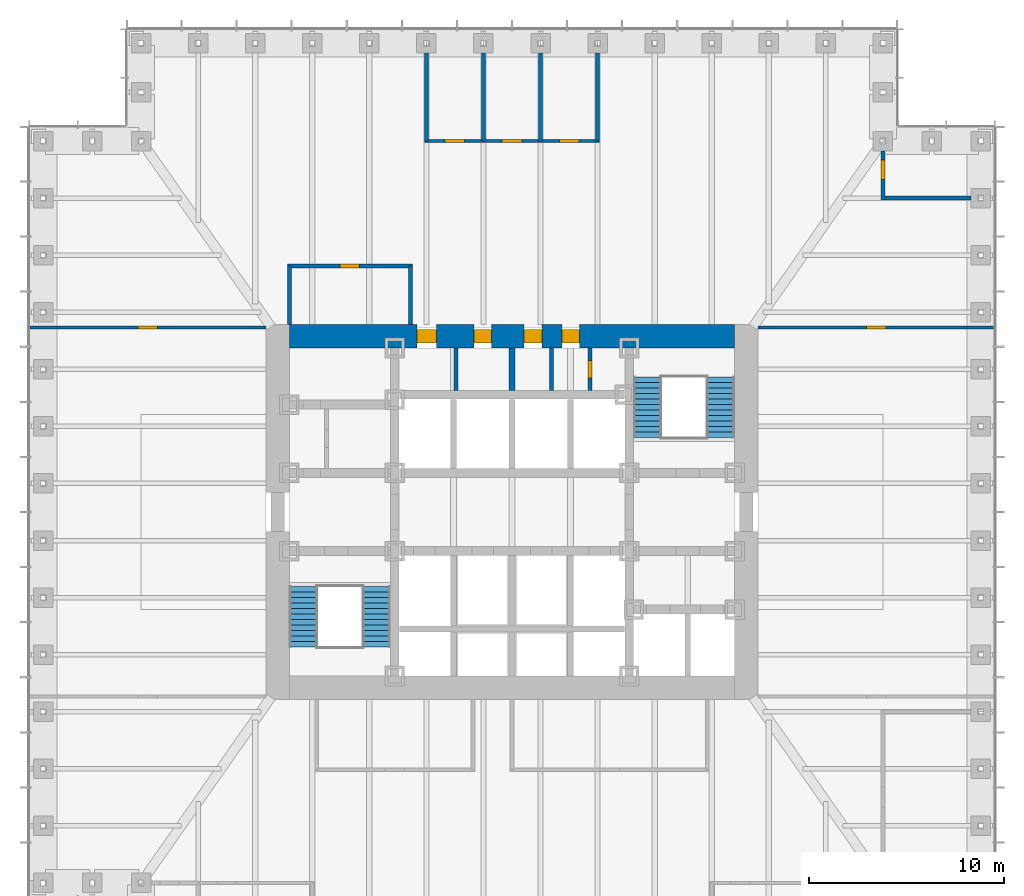
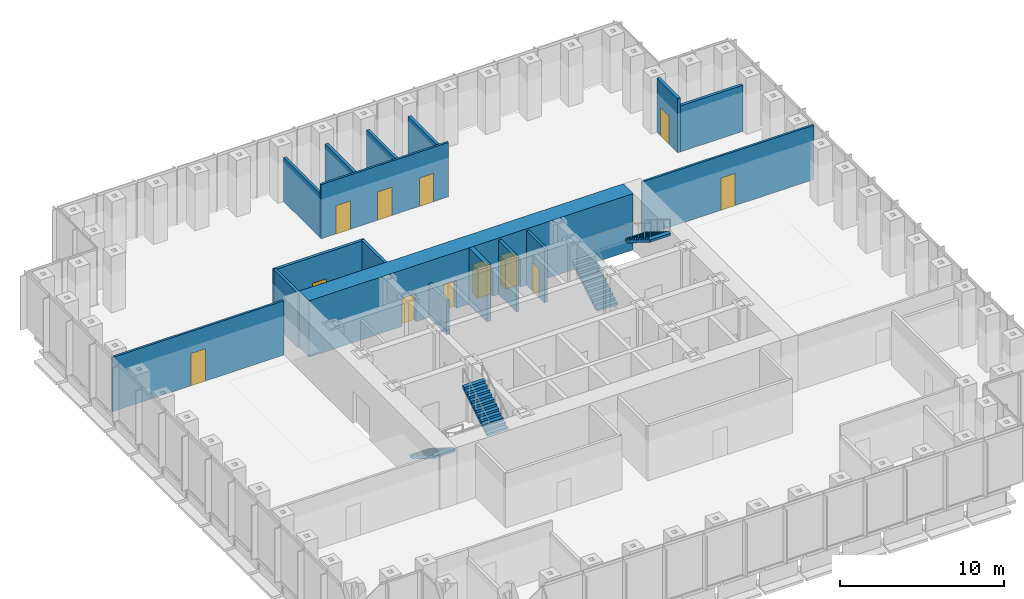
# One storey, part 10 of 16: 17 walls, 12 doors, 4 stair flights, 12 openings, 2 elements without a shape of their own.
"""IFC4 building model written with IfcOpenShell, lengths in metres."""

from ifc_helpers import new_model, si_unit, direction, frame, frame_2d, origin, place, context, subcontext, project, spatial, polyline, rectangle, outline, extrude, material, layer, layer_set, type_object, element, fill, aggregate, save


model = new_model("IFC4")

# Units and contexts
model_context = context("Model", 3, precision=1e-05, world=origin(), true_north=direction((0.0, 1.0)))
body_context = subcontext(model_context, "Body", "Model", "MODEL_VIEW")
ifc_project = project(units=[si_unit("LENGTHUNIT", "METRE"), si_unit("AREAUNIT", "SQUARE_METRE"), si_unit("VOLUMEUNIT", "CUBIC_METRE"), si_unit("PLANEANGLEUNIT", "RADIAN"), si_unit("MASSUNIT", "GRAM", prefix="KILO")], contexts=[model_context])

# Site, building, storey
site_placement = place(None, origin())
site = spatial("IfcSite", under=ifc_project, at=site_placement, CompositionType="ELEMENT")
building_placement = place(site_placement, origin())
building = spatial("IfcBuilding", under=site, at=building_placement, Name="Daluyong Arena Tower", CompositionType="ELEMENT")
storey_placement = place(building_placement, frame((0.0, 0.0, 39.10009765625)))
storey = spatial("IfcBuildingStorey", under=building, at=storey_placement, Name="L07", CompositionType="ELEMENT", Elevation=39.10009765625)

# Wall, openings, doors
ifc_material_1 = material(Name="Concrete fc' 60 MPa", Category="concrete")
ifc_layer_1 = layer(ifc_material_1, 1.199951171875)
ifc_layer_set_1 = layer_set([ifc_layer_1], Name="Concrete fc' 60 MPa")
wall_type_1 = type_object("IfcWallType", Name="Core wall 1200", PredefinedType="SHEAR", material=ifc_layer_set_1)
wall_1_placement = place(storey_placement, frame((44.60009765625, 89.0, 0.0), z_axis=(0.0, 0.0, 1.0), x_axis=(1.0, 0.0, 0.0)))
wall_1 = element("IfcWall", 1, at=wall_1_placement, inside=storey, type_object=wall_type_1, Name="core wall at L07", PredefinedType="SHEAR", context=body_context, shape_type="SweptSolid", body=[
    extrude(rectangle(XDim=22.7998046875, YDim=1.199951171875, at=frame_2d((11.39990234375, 0.0))), origin(), (0.0, 0.0, 1.0), 4.199951171875),
])
opening_1_placement = place(wall_1_placement, frame((6.52490234375, 0.0, 0.0)))
opening_1 = element("IfcOpeningElement", 2, at=opening_1_placement, cuts=wall_1, Name="Opening 07004", PredefinedType="OPENING", context=body_context, shape_type="SweptSolid", body=[
    extrude(rectangle(XDim=1.0, YDim=2.10009765625, at=frame_2d((0.5, 1.050048828125))), frame((0.0, 0.60986328125, 0.0), z_axis=(0.0, -1.0, 0.0), x_axis=(1.0, 0.0, 0.0)), (0.0, 0.0, 1.0), 1.219970703125),
])
opening_2_placement = place(wall_1_placement, frame((9.449951171875, 0.0, 0.0)))
opening_2 = element("IfcOpeningElement", 3, at=opening_2_placement, cuts=wall_1, Name="Opening 07005", PredefinedType="OPENING", context=body_context, shape_type="SweptSolid", body=[
    extrude(rectangle(XDim=0.89990234375, YDim=2.10009765625, at=frame_2d((0.449951171875, 1.050048828125))), frame((0.0, 0.60986328125, 0.0), z_axis=(0.0, -1.0, 0.0), x_axis=(1.0, 0.0, 0.0)), (0.0, 0.0, 1.0), 1.219970703125),
])
opening_3_placement = place(wall_1_placement, frame((12.02490234375, 0.0, 0.0)))
opening_3 = element("IfcOpeningElement", 4, at=opening_3_placement, cuts=wall_1, Name="Opening 07006", PredefinedType="OPENING", context=body_context, shape_type="SweptSolid", body=[
    extrude(rectangle(XDim=0.89990234375, YDim=2.10009765625, at=frame_2d((0.449951171875, 1.050048828125))), frame((0.0, 0.60986328125, 0.0), z_axis=(0.0, -1.0, 0.0), x_axis=(1.0, 0.0, 0.0)), (0.0, 0.0, 1.0), 1.219970703125),
])
opening_4_placement = place(wall_1_placement, frame((13.96240234375, 0.0, 0.0)))
opening_4 = element("IfcOpeningElement", 5, at=opening_4_placement, cuts=wall_1, Name="Opening 07007", PredefinedType="OPENING", context=body_context, shape_type="SweptSolid", body=[
    extrude(rectangle(XDim=0.89990234375, YDim=2.10009765625, at=frame_2d((0.449951171875, 1.050048828125))), frame((0.0, 0.60986328125, 0.0), z_axis=(0.0, -1.0, 0.0), x_axis=(1.0, 0.0, 0.0)), (0.0, 0.0, 1.0), 1.219970703125),
])
ifc_material_2 = material(Name="Timber door", Category="wood")
door_type_1 = type_object("IfcDoorType", Name="Accessible toilet door 1000", OperationType="SINGLE_SWING_LEFT", PredefinedType="DOOR", material=ifc_material_2)
door_1_placement = place(opening_1_placement, origin())
door_1 = element("IfcDoor", 6, at=door_1_placement, inside=storey, type_object=door_type_1, Name="accessible toilet door 07004", OperationType="SINGLE_SWING_LEFT", OverallHeight=2.10009765625, OverallWidth=1.0, PredefinedType="DOOR", context=body_context, shape_type="SweptSolid", body=[
    extrude(rectangle(XDim=1.0, YDim=2.10009765625, at=frame_2d((0.5, 1.050048828125))), frame((0.0, 0.35009765625, 0.0), z_axis=(0.0, -1.0, 0.0), x_axis=(1.0, 0.0, 0.0)), (0.0, 0.0, 1.0), 0.699951171875),
])
fill(opening_1, door_1)
ifc_material_3 = material(Name="Steel door, fire rated", Category="steel")
door_type_2 = type_object("IfcDoorType", Name="Core room door 900", OperationType="SINGLE_SWING_LEFT", PredefinedType="DOOR", material=ifc_material_3)
door_2_placement = place(opening_2_placement, origin())
door_2 = element("IfcDoor", 7, at=door_2_placement, inside=storey, type_object=door_type_2, Name="tea point door 07005", OperationType="SINGLE_SWING_LEFT", OverallHeight=2.10009765625, OverallWidth=0.89990234375, PredefinedType="DOOR", context=body_context, shape_type="SweptSolid", body=[
    extrude(rectangle(XDim=0.89990234375, YDim=2.10009765625, at=frame_2d((0.449951171875, 1.050048828125))), frame((0.0, 0.35009765625, 0.0), z_axis=(0.0, -1.0, 0.0), x_axis=(1.0, 0.0, 0.0)), (0.0, 0.0, 1.0), 0.699951171875),
])
fill(opening_2, door_2)
door_3_placement = place(opening_4_placement, origin())
door_3 = element("IfcDoor", 8, at=door_3_placement, inside=storey, type_object=door_type_2, Name="print room door 07007", OperationType="SINGLE_SWING_LEFT", OverallHeight=2.10009765625, OverallWidth=0.89990234375, PredefinedType="DOOR", context=body_context, shape_type="SweptSolid", body=[
    extrude(rectangle(XDim=0.89990234375, YDim=2.10009765625, at=frame_2d((0.449951171875, 1.050048828125))), frame((0.0, 0.35009765625, 0.0), z_axis=(0.0, -1.0, 0.0), x_axis=(1.0, 0.0, 0.0)), (0.0, 0.0, 1.0), 0.699951171875),
])
fill(opening_4, door_3)
ifc_material_4 = material(Name="Steel door, fire rated", Category="steel")
door_type_3 = type_object("IfcDoorType", Name="Core store door 900", OperationType="SINGLE_SWING_LEFT", PredefinedType="DOOR", material=ifc_material_4)
door_4_placement = place(opening_3_placement, origin())
door_4 = element("IfcDoor", 9, at=door_4_placement, inside=storey, type_object=door_type_3, Name="facilities store door 07006", OperationType="SINGLE_SWING_LEFT", OverallHeight=2.10009765625, OverallWidth=0.89990234375, PredefinedType="DOOR", context=body_context, shape_type="SweptSolid", body=[
    extrude(rectangle(XDim=0.89990234375, YDim=2.10009765625, at=frame_2d((0.449951171875, 1.050048828125))), frame((0.0, 0.35009765625, 0.0), z_axis=(0.0, -1.0, 0.0), x_axis=(1.0, 0.0, 0.0)), (0.0, 0.0, 1.0), 0.699951171875),
])
fill(opening_3, door_4)

# Wall
ifc_material_5 = material(Name="Concrete block partition, fire rated", Category="concrete")
ifc_layer_2 = layer(ifc_material_5, 0.199951171875)
ifc_layer_set_2 = layer_set([ifc_layer_2], Name="Concrete block partition, fire rated")
wall_type_2 = type_object("IfcWallType", Name="Fire-rated partition 200", PredefinedType="PARTITIONING", material=ifc_layer_set_2)
wall_2_placement = place(storey_placement, frame((53.125, 86.22509765625, 0.0), z_axis=(0.0, 0.0, 1.0), x_axis=(0.0, 1.0, 0.0)))
element("IfcWall", 10, at=wall_2_placement, inside=storey, type_object=wall_type_2, Name="core room partition at L07", PredefinedType="PARTITIONING", context=body_context, shape_type="SweptSolid", body=[
    extrude(rectangle(XDim=2.1748046875, YDim=0.199951171875, at=frame_2d((1.08740234375, 0.0))), origin(), (0.0, 0.0, 1.0), 2.539794921875),
])

# Wall, opening, door
wall_3_placement = place(storey_placement, frame((60.0, 86.22509765625, 0.0), z_axis=(0.0, 0.0, 1.0), x_axis=(0.0, 1.0, 0.0)))
wall_3 = element("IfcWall", 11, at=wall_3_placement, inside=storey, type_object=wall_type_2, Name="electrical riser enclosure at L07", PredefinedType="PARTITIONING", context=body_context, shape_type="SweptSolid", body=[
    extrude(rectangle(XDim=2.1748046875, YDim=0.199951171875, at=frame_2d((1.08740234375, 0.0))), origin(), (0.0, 0.0, 1.0), 4.039794921875),
])
opening_5_placement = place(wall_3_placement, frame((0.637451171875, 0.0, 0.0)))
opening_5 = element("IfcOpeningElement", 12, at=opening_5_placement, cuts=wall_3, Name="Opening 07008", PredefinedType="OPENING", context=body_context, shape_type="SweptSolid", body=[
    extrude(rectangle(XDim=0.89990234375, YDim=2.10009765625, at=frame_2d((0.449951171875, 1.050048828125))), frame((0.0, 0.10986328125, 0.0), z_axis=(0.0, -1.0, 0.0), x_axis=(1.0, 0.0, 0.0)), (0.0, 0.0, 1.0), 0.219970703125),
])
ifc_material_6 = material(Name="Steel door, fire rated", Category="steel")
door_type_4 = type_object("IfcDoorType", Name="Riser door 900", OperationType="SINGLE_SWING_LEFT", PredefinedType="DOOR", material=ifc_material_6)
door_5_placement = place(opening_5_placement, origin())
door_5 = element("IfcDoor", 13, at=door_5_placement, inside=storey, type_object=door_type_4, Name="riser door 07008", OperationType="SINGLE_SWING_LEFT", OverallHeight=2.10009765625, OverallWidth=0.89990234375, PredefinedType="DOOR", context=body_context, shape_type="SweptSolid", body=[
    extrude(rectangle(XDim=0.89990234375, YDim=2.10009765625, at=frame_2d((0.449951171875, 1.050048828125))), frame((0.0, 0.099609375, 0.0), z_axis=(0.0, -1.0, 0.0), x_axis=(1.0, 0.0, 0.0)), (0.0, 0.0, 1.0), 0.199462890625),
])
fill(opening_5, door_5)

# Wall
wall_4_placement = place(storey_placement, frame((58.02490234375, 86.22509765625, 0.0), z_axis=(0.0, 0.0, 1.0), x_axis=(0.0, 1.0, 0.0)))
element("IfcWall", 14, at=wall_4_placement, inside=storey, type_object=wall_type_2, Name="core room partition at L07", PredefinedType="PARTITIONING", context=body_context, shape_type="SweptSolid", body=[
    extrude(rectangle(XDim=2.1748046875, YDim=0.199951171875, at=frame_2d((1.08740234375, 0.0))), origin(), (0.0, 0.0, 1.0), 4.039794921875),
])

# Wall, opening, door
ifc_material_7 = material(Name="Glazed aluminium partition", Category="aluminium")
ifc_layer_3 = layer(ifc_material_7, 0.14990234375)
ifc_layer_set_3 = layer_set([ifc_layer_3], Name="Glazed aluminium partition")
wall_type_3 = type_object("IfcWallType", Name="Glazed partition 150", PredefinedType="PARTITIONING", material=ifc_layer_set_3)
wall_5_placement = place(storey_placement, frame((31.31005859375, 89.449951171875, 0.0), z_axis=(0.0, 0.0, 1.0), x_axis=(1.0, 0.0, 0.0)))
wall_5 = element("IfcWall", 15, at=wall_5_placement, inside=storey, type_object=wall_type_3, Name="glazed partition at L07", PredefinedType="PARTITIONING", context=body_context, shape_type="SweptSolid", body=[
    extrude(rectangle(XDim=12.08984375, YDim=0.14990234375, at=frame_2d((6.044921875, 0.0))), origin(), (0.0, 0.0, 1.0), 4.039794921875),
])
opening_6_placement = place(wall_5_placement, frame((5.544921875, 0.0, 0.0)))
opening_6 = element("IfcOpeningElement", 16, at=opening_6_placement, cuts=wall_5, Name="Opening 07035", PredefinedType="OPENING", context=body_context, shape_type="SweptSolid", body=[
    extrude(rectangle(XDim=1.0, YDim=2.39990234375, at=frame_2d((0.5, 1.199951171875))), frame((0.0, 0.0849609375, 0.0), z_axis=(0.0, -1.0, 0.0), x_axis=(1.0, 0.0, 0.0)), (0.0, 0.0, 1.0), 0.169921875),
])
ifc_material_8 = material(Name="Glazed aluminium door", Category="aluminium")
door_type_5 = type_object("IfcDoorType", Name="Meeting room glazed door 1000", OperationType="SINGLE_SWING_RIGHT", PredefinedType="DOOR", material=ifc_material_8)
door_6_placement = place(opening_6_placement, origin())
door_6 = element("IfcDoor", 17, at=door_6_placement, inside=storey, type_object=door_type_5, Name="team area screen door 07035", OperationType="SINGLE_SWING_RIGHT", OverallHeight=2.39990234375, OverallWidth=1.0, PredefinedType="DOOR", context=body_context, shape_type="SweptSolid", body=[
    extrude(rectangle(XDim=1.0, YDim=2.39990234375, at=frame_2d((0.5, 1.199951171875))), frame((0.0, 0.07470703125, 0.0), z_axis=(0.0, -1.0, 0.0), x_axis=(1.0, 0.0, 0.0)), (0.0, 0.0, 1.0), 0.1494140625),
])
fill(opening_6, door_6)

wall_6_placement = place(storey_placement, frame((68.60009765625, 89.449951171875, 0.0), z_axis=(0.0, 0.0, 1.0), x_axis=(1.0, 0.0, 0.0)))
wall_6 = element("IfcWall", 18, at=wall_6_placement, inside=storey, type_object=wall_type_3, Name="glazed partition at L07", PredefinedType="PARTITIONING", context=body_context, shape_type="SweptSolid", body=[
    extrude(rectangle(XDim=12.08984375, YDim=0.14990234375, at=frame_2d((6.044921875, 0.0))), origin(), (0.0, 0.0, 1.0), 4.039794921875),
])
opening_7_placement = place(wall_6_placement, frame((5.544921875, 0.0, 0.0)))
opening_7 = element("IfcOpeningElement", 19, at=opening_7_placement, cuts=wall_6, Name="Opening 07037", PredefinedType="OPENING", context=body_context, shape_type="SweptSolid", body=[
    extrude(rectangle(XDim=1.0, YDim=2.39990234375, at=frame_2d((0.5, 1.199951171875))), frame((0.0, 0.0849609375, 0.0), z_axis=(0.0, -1.0, 0.0), x_axis=(1.0, 0.0, 0.0)), (0.0, 0.0, 1.0), 0.169921875),
])
door_7_placement = place(opening_7_placement, origin())
door_7 = element("IfcDoor", 20, at=door_7_placement, inside=storey, type_object=door_type_5, Name="team area screen door 07037", OperationType="SINGLE_SWING_RIGHT", OverallHeight=2.39990234375, OverallWidth=1.0, PredefinedType="DOOR", context=body_context, shape_type="SweptSolid", body=[
    extrude(rectangle(XDim=1.0, YDim=2.39990234375, at=frame_2d((0.5, 1.199951171875))), frame((0.0, 0.07470703125, 0.0), z_axis=(0.0, -1.0, 0.0), x_axis=(1.0, 0.0, 0.0)), (0.0, 0.0, 1.0), 0.1494140625),
])
fill(opening_7, door_7)

# Wall, openings, doors
wall_7_placement = place(storey_placement, frame((51.515380859375, 99.0, 0.0), z_axis=(0.0, 0.0, 1.0), x_axis=(1.0, 0.0, 0.0)))
wall_7 = element("IfcWall", 21, at=wall_7_placement, inside=storey, type_object=wall_type_3, Name="glazed partition at L07", PredefinedType="PARTITIONING", context=body_context, shape_type="SweptSolid", body=[
    extrude(rectangle(XDim=8.96923828125, YDim=0.14990234375, at=frame_2d((4.484619140625, 0.0))), origin(), (0.0, 0.0, 1.0), 4.039794921875),
])
opening_8_placement = place(wall_7_placement, frame((1.0615234375, 0.0, 0.0)))
opening_8 = element("IfcOpeningElement", 22, at=opening_8_placement, cuts=wall_7, Name="Opening 07028", PredefinedType="OPENING", context=body_context, shape_type="SweptSolid", body=[
    extrude(rectangle(XDim=1.0, YDim=2.10009765625, at=frame_2d((0.5, 1.050048828125))), frame((0.0, 0.0849609375, 0.0), z_axis=(0.0, -1.0, 0.0), x_axis=(1.0, 0.0, 0.0)), (0.0, 0.0, 1.0), 0.169921875),
])
opening_9_placement = place(wall_7_placement, frame((3.984619140625, 0.0, 0.0)))
opening_9 = element("IfcOpeningElement", 23, at=opening_9_placement, cuts=wall_7, Name="Opening 07029", PredefinedType="OPENING", context=body_context, shape_type="SweptSolid", body=[
    extrude(rectangle(XDim=1.0, YDim=2.10009765625, at=frame_2d((0.5, 1.050048828125))), frame((0.0, 0.0849609375, 0.0), z_axis=(0.0, -1.0, 0.0), x_axis=(1.0, 0.0, 0.0)), (0.0, 0.0, 1.0), 0.169921875),
])
opening_10_placement = place(wall_7_placement, frame((6.90771484375, 0.0, 0.0)))
opening_10 = element("IfcOpeningElement", 24, at=opening_10_placement, cuts=wall_7, Name="Opening 07030", PredefinedType="OPENING", context=body_context, shape_type="SweptSolid", body=[
    extrude(rectangle(XDim=1.0, YDim=2.10009765625, at=frame_2d((0.5, 1.050048828125))), frame((0.0, 0.0849609375, 0.0), z_axis=(0.0, -1.0, 0.0), x_axis=(1.0, 0.0, 0.0)), (0.0, 0.0, 1.0), 0.169921875),
])
ifc_material_9 = material(Name="Timber door", Category="wood")
door_type_6 = type_object("IfcDoorType", Name="Room door 1000", OperationType="SINGLE_SWING_LEFT", PredefinedType="DOOR", material=ifc_material_9)
door_8_placement = place(opening_8_placement, origin())
door_8 = element("IfcDoor", 25, at=door_8_placement, inside=storey, type_object=door_type_6, Name="office door 07028", OperationType="SINGLE_SWING_LEFT", OverallHeight=2.10009765625, OverallWidth=1.0, PredefinedType="DOOR", context=body_context, shape_type="SweptSolid", body=[
    extrude(rectangle(XDim=1.0, YDim=2.10009765625, at=frame_2d((0.5, 1.050048828125))), frame((0.0, 0.07470703125, 0.0), z_axis=(0.0, -1.0, 0.0), x_axis=(1.0, 0.0, 0.0)), (0.0, 0.0, 1.0), 0.1494140625),
])
fill(opening_8, door_8)
door_9_placement = place(opening_9_placement, origin())
door_9 = element("IfcDoor", 26, at=door_9_placement, inside=storey, type_object=door_type_6, Name="office door 07029", OperationType="SINGLE_SWING_LEFT", OverallHeight=2.10009765625, OverallWidth=1.0, PredefinedType="DOOR", context=body_context, shape_type="SweptSolid", body=[
    extrude(rectangle(XDim=1.0, YDim=2.10009765625, at=frame_2d((0.5, 1.050048828125))), frame((0.0, 0.07470703125, 0.0), z_axis=(0.0, -1.0, 0.0), x_axis=(1.0, 0.0, 0.0)), (0.0, 0.0, 1.0), 0.1494140625),
])
fill(opening_9, door_9)
door_10_placement = place(opening_10_placement, origin())
door_10 = element("IfcDoor", 27, at=door_10_placement, inside=storey, type_object=door_type_6, Name="office door 07030", OperationType="SINGLE_SWING_LEFT", OverallHeight=2.10009765625, OverallWidth=1.0, PredefinedType="DOOR", context=body_context, shape_type="SweptSolid", body=[
    extrude(rectangle(XDim=1.0, YDim=2.10009765625, at=frame_2d((0.5, 1.050048828125))), frame((0.0, 0.07470703125, 0.0), z_axis=(0.0, -1.0, 0.0), x_axis=(1.0, 0.0, 0.0)), (0.0, 0.0, 1.0), 0.1494140625),
])
fill(opening_10, door_10)

# Walls
ifc_material_10 = material(Name="Concrete fc' 45 MPa", Category="concrete")
ifc_layer_4 = layer(ifc_material_10, 0.300048828125)
ifc_layer_set_4 = layer_set([ifc_layer_4], Name="Concrete fc' 45 MPa")
wall_type_4 = type_object("IfcWallType", Name="Lift shaft wall 300", PredefinedType="SHEAR", material=ifc_layer_set_4)
wall_8_placement = place(storey_placement, frame((56.0, 86.22509765625, 0.0), z_axis=(0.0, 0.0, 1.0), x_axis=(0.0, 1.0, 0.0)))
element("IfcWall", 28, at=wall_8_placement, inside=storey, type_object=wall_type_4, Name="lift shaft wall at L07", PredefinedType="SHEAR", context=body_context, shape_type="SweptSolid", body=[
    extrude(rectangle(XDim=2.1748046875, YDim=0.300048828125, at=frame_2d((1.08740234375, 0.0))), origin(), (0.0, 0.0, 1.0), 4.199951171875),
])
ifc_material_11 = material(Name="Concrete block partition", Category="concrete")
ifc_layer_5 = layer(ifc_material_11, 0.199951171875)
ifc_layer_set_5 = layer_set([ifc_layer_5], Name="Concrete block partition")
wall_type_5 = type_object("IfcWallType", Name="Partition 200", PredefinedType="PARTITIONING", material=ifc_layer_set_5)
wall_9_placement = place(storey_placement, frame((75.0, 96.076904296875, 0.0), z_axis=(0.0, 0.0, 1.0), x_axis=(1.0, 0.0, 0.0)))
element("IfcWall", 29, at=wall_9_placement, inside=storey, type_object=wall_type_5, Name="partition at L07", PredefinedType="PARTITIONING", context=body_context, shape_type="SweptSolid", body=[
    extrude(rectangle(XDim=4.5, YDim=0.199951171875, at=frame_2d((2.25, 0.0))), origin(), (0.0, 0.0, 1.0), 3.427734375),
])
for number, where, z_axis, x_axis, name in (
    (30, (51.615478515625, 99.0, 0.0), (0.0, 0.0, 1.0), (0.0, 1.0, 0.0), "partition at L07"),
    (31, (54.53857421875, 99.0, 0.0), (0.0, 0.0, 1.0), (0.0, 1.0, 0.0), "partition at L07"),
    (32, (57.46142578125, 99.0, 0.0), (0.0, 0.0, 1.0), (0.0, 1.0, 0.0), "partition at L07"),
    (33, (60.384521484375, 99.0, 0.0), (0.0, 0.0, 1.0), (0.0, 1.0, 0.0), "partition at L07"),
):
    element("IfcWall", number, at=place(storey_placement, frame(where, z_axis=z_axis, x_axis=x_axis)), inside=storey, type_object=wall_type_5, Name=name, PredefinedType="PARTITIONING", context=body_context, shape_type="SweptSolid", body=[
        extrude(rectangle(XDim=4.5, YDim=0.199951171875, at=frame_2d((2.25, 0.0))), origin(), (0.0, 0.0, 1.0), 3.27783203125),
    ])
for number, where, z_axis, x_axis, name in (
    (34, (44.60009765625, 89.60009765625, 0.0), (0.0, 0.0, 1.0), (0.0, 1.0, 0.0), "partition at L07"),
    (35, (50.800048828125, 89.60009765625, 0.0), (0.0, 0.0, 1.0), (0.0, 1.0, 0.0), "partition at L07"),
):
    element("IfcWall", number, at=place(storey_placement, frame(where, z_axis=z_axis, x_axis=x_axis)), inside=storey, type_object=wall_type_5, Name=name, PredefinedType="PARTITIONING", context=body_context, shape_type="SweptSolid", body=[
        extrude(rectangle(XDim=3.0, YDim=0.199951171875, at=frame_2d((1.5, 0.0))), origin(), (0.0, 0.0, 1.0), 4.039794921875),
    ])

# Wall, opening, door
wall_10_placement = place(storey_placement, frame((44.5, 92.60009765625, 0.0), z_axis=(0.0, 0.0, 1.0), x_axis=(1.0, 0.0, 0.0)))
wall_10 = element("IfcWall", 36, at=wall_10_placement, inside=storey, type_object=wall_type_5, Name="partition at L07", PredefinedType="PARTITIONING", context=body_context, shape_type="SweptSolid", body=[
    extrude(rectangle(XDim=6.39990234375, YDim=0.199951171875, at=frame_2d((3.199951171875, 0.0))), origin(), (0.0, 0.0, 1.0), 4.039794921875),
])
opening_11_placement = place(wall_10_placement, frame((2.699951171875, 0.0, 0.0)))
opening_11 = element("IfcOpeningElement", 37, at=opening_11_placement, cuts=wall_10, Name="Opening 07033", PredefinedType="OPENING", context=body_context, shape_type="SweptSolid", body=[
    extrude(rectangle(XDim=1.0, YDim=2.10009765625, at=frame_2d((0.5, 1.050048828125))), frame((0.0, 0.10986328125, 0.0), z_axis=(0.0, -1.0, 0.0), x_axis=(1.0, 0.0, 0.0)), (0.0, 0.0, 1.0), 0.219970703125),
])
door_11_placement = place(opening_11_placement, origin())
door_11 = element("IfcDoor", 38, at=door_11_placement, inside=storey, type_object=door_type_6, Name="comms room door 07033", OperationType="SINGLE_SWING_LEFT", OverallHeight=2.10009765625, OverallWidth=1.0, PredefinedType="DOOR", context=body_context, shape_type="SweptSolid", body=[
    extrude(rectangle(XDim=1.0, YDim=2.10009765625, at=frame_2d((0.5, 1.050048828125))), frame((0.0, 0.099609375, 0.0), z_axis=(0.0, -1.0, 0.0), x_axis=(1.0, 0.0, 0.0)), (0.0, 0.0, 1.0), 0.199462890625),
])
fill(opening_11, door_11)

wall_11_placement = place(storey_placement, frame((75.0, 95.976806640625, 0.0), z_axis=(0.0, 0.0, 1.0), x_axis=(0.0, 1.0, 0.0)))
wall_11 = element("IfcWall", 39, at=wall_11_placement, inside=storey, type_object=wall_type_5, Name="partition at L07", PredefinedType="PARTITIONING", context=body_context, shape_type="SweptSolid", body=[
    extrude(rectangle(XDim=2.523193359375, YDim=0.199951171875, at=frame_2d((1.26171875, 0.0))), origin(), (0.0, 0.0, 1.0), 4.039794921875),
])
opening_12_placement = place(wall_11_placement, frame((1.0615234375, 0.0, 0.0)))
opening_12 = element("IfcOpeningElement", 40, at=opening_12_placement, cuts=wall_11, Name="Opening 07027", PredefinedType="OPENING", context=body_context, shape_type="SweptSolid", body=[
    extrude(rectangle(XDim=1.0, YDim=2.10009765625, at=frame_2d((0.5, 1.050048828125))), frame((0.0, 0.10986328125, 0.0), z_axis=(0.0, -1.0, 0.0), x_axis=(1.0, 0.0, 0.0)), (0.0, 0.0, 1.0), 0.219970703125),
])
door_12_placement = place(opening_12_placement, origin())
door_12 = element("IfcDoor", 41, at=door_12_placement, inside=storey, type_object=door_type_6, Name="wellness room door 07027", OperationType="SINGLE_SWING_LEFT", OverallHeight=2.10009765625, OverallWidth=1.0, PredefinedType="DOOR", context=body_context, shape_type="SweptSolid", body=[
    extrude(rectangle(XDim=1.0, YDim=2.10009765625, at=frame_2d((0.5, 1.050048828125))), frame((0.0, 0.099609375, 0.0), z_axis=(0.0, -1.0, 0.0), x_axis=(1.0, 0.0, 0.0)), (0.0, 0.0, 1.0), 0.199462890625),
])
fill(opening_12, door_12)

# Stair, stair flights
ifc_material_12 = material(Name="Concrete fc' 35 MPa", Category="concrete")
stair_type = type_object("IfcStairType", Name="Core exit stair", PredefinedType="HALF_TURN_STAIR", material=ifc_material_12)
stair_1_placement = place(storey_placement, origin())
stair_1 = element("IfcStair", 42, at=stair_1_placement, inside=storey, type_object=stair_type, Name="exit stair A L07", PredefinedType="HALF_TURN_STAIR")
ifc_material_13 = material(Name="Concrete fc' 35 MPa", Category="concrete")
stair_flight_type = type_object("IfcStairFlightType", Name="Core stair flight", PredefinedType="STRAIGHT", material=ifc_material_13)
stair_flight_1_placement = place(storey_placement, frame((45.324951171875, 76.175048828125, 0.0), z_axis=(0.0, 0.0, 1.0), x_axis=(0.0, -1.0, 0.0)))
stair_flight_1 = element("IfcStairFlight", 43, at=stair_flight_1_placement, type_object=stair_flight_type, Name="STA flight 1", NumberOfRisers=12, NumberOfTreads=11, PredefinedType="STRAIGHT", RiserHeight=0.175, TreadLength=0.28, context=body_context, shape_type="SweptSolid", body=[
    extrude(outline(polyline([(0.0, 0.0), (0.0, 0.175048828125), (0.280029296875, 0.175048828125), (0.280029296875, 0.35009765625), (0.56005859375, 0.35009765625), (0.56005859375, 0.52490234375), (0.840087890625, 0.52490234375), (0.840087890625, 0.699951171875), (1.1201171875, 0.699951171875), (1.1201171875, 0.875), (1.39990234375, 0.875), (1.39990234375, 1.050048828125), (1.679931640625, 1.050048828125), (1.679931640625, 1.22509765625), (1.9599609375, 1.22509765625), (1.9599609375, 1.39990234375), (2.239990234375, 1.39990234375), (2.239990234375, 1.574951171875), (2.52001953125, 1.574951171875), (2.52001953125, 1.75), (2.800048828125, 1.75), (2.800048828125, 1.925048828125), (3.080078125, 1.925048828125), (3.080078125, 2.10009765625), (3.080078125, 1.748291015625), (0.28271484375, 0.0), (0.0, 0.0)])), frame((0.0, 0.72509765625, 0.0), z_axis=(0.0, -1.0, 0.0), x_axis=(1.0, 0.0, 0.0)), (0.0, 0.0, 1.0), 1.449951171875),
])
stair_flight_2_placement = place(storey_placement, frame((49.050048828125, 73.094970703125, 2.099853515625), z_axis=(0.0, 0.0, 1.0), x_axis=(0.0, 1.0, 0.0)))
stair_flight_2 = element("IfcStairFlight", 44, at=stair_flight_2_placement, type_object=stair_flight_type, Name="STA flight 2", NumberOfRisers=12, NumberOfTreads=11, PredefinedType="STRAIGHT", RiserHeight=0.175, TreadLength=0.28, context=body_context, shape_type="SweptSolid", body=[
    extrude(outline(polyline([(0.0, 0.0), (0.0, 0.175048828125), (0.280029296875, 0.175048828125), (0.280029296875, 0.35009765625), (0.56005859375, 0.35009765625), (0.56005859375, 0.52490234375), (0.840087890625, 0.52490234375), (0.840087890625, 0.699951171875), (1.1201171875, 0.699951171875), (1.1201171875, 0.875), (1.39990234375, 0.875), (1.39990234375, 1.050048828125), (1.679931640625, 1.050048828125), (1.679931640625, 1.22509765625), (1.9599609375, 1.22509765625), (1.9599609375, 1.39990234375), (2.239990234375, 1.39990234375), (2.239990234375, 1.574951171875), (2.52001953125, 1.574951171875), (2.52001953125, 1.75), (2.800048828125, 1.75), (2.800048828125, 1.925048828125), (3.080078125, 1.925048828125), (3.080078125, 2.10009765625), (3.080078125, 1.748291015625), (0.28271484375, 0.0), (0.0, 0.0)])), frame((0.0, 0.72509765625, 0.0), z_axis=(0.0, -1.0, 0.0), x_axis=(1.0, 0.0, 0.0)), (0.0, 0.0, 1.0), 1.449951171875),
])
aggregate(stair_1, [stair_flight_1, stair_flight_2])

stair_2_placement = place(storey_placement, origin())
stair_2 = element("IfcStair", 45, at=stair_2_placement, inside=storey, type_object=stair_type, Name="exit stair B L07", PredefinedType="HALF_TURN_STAIR")
stair_flight_3_placement = place(storey_placement, frame((62.949951171875, 83.824951171875, 0.0), z_axis=(0.0, 0.0, 1.0), x_axis=(0.0, 1.0, 0.0)))
stair_flight_3 = element("IfcStairFlight", 46, at=stair_flight_3_placement, type_object=stair_flight_type, Name="STB flight 1", NumberOfRisers=12, NumberOfTreads=11, PredefinedType="STRAIGHT", RiserHeight=0.175, TreadLength=0.28, context=body_context, shape_type="SweptSolid", body=[
    extrude(outline(polyline([(0.0, 0.0), (0.0, 0.175048828125), (0.280029296875, 0.175048828125), (0.280029296875, 0.35009765625), (0.56005859375, 0.35009765625), (0.56005859375, 0.52490234375), (0.840087890625, 0.52490234375), (0.840087890625, 0.699951171875), (1.1201171875, 0.699951171875), (1.1201171875, 0.875), (1.39990234375, 0.875), (1.39990234375, 1.050048828125), (1.679931640625, 1.050048828125), (1.679931640625, 1.22509765625), (1.9599609375, 1.22509765625), (1.9599609375, 1.39990234375), (2.239990234375, 1.39990234375), (2.239990234375, 1.574951171875), (2.52001953125, 1.574951171875), (2.52001953125, 1.75), (2.800048828125, 1.75), (2.800048828125, 1.925048828125), (3.080078125, 1.925048828125), (3.080078125, 2.10009765625), (3.080078125, 1.748291015625), (0.28271484375, 0.0), (0.0, 0.0)])), frame((0.0, 0.72509765625, 0.0), z_axis=(0.0, -1.0, 0.0), x_axis=(1.0, 0.0, 0.0)), (0.0, 0.0, 1.0), 1.449951171875),
])
stair_flight_4_placement = place(storey_placement, frame((66.675048828125, 86.905029296875, 2.099853515625), z_axis=(0.0, 0.0, 1.0), x_axis=(0.0, -1.0, 0.0)))
stair_flight_4 = element("IfcStairFlight", 47, at=stair_flight_4_placement, type_object=stair_flight_type, Name="STB flight 2", NumberOfRisers=12, NumberOfTreads=11, PredefinedType="STRAIGHT", RiserHeight=0.175, TreadLength=0.28, context=body_context, shape_type="SweptSolid", body=[
    extrude(outline(polyline([(0.0, 0.0), (0.0, 0.175048828125), (0.280029296875, 0.175048828125), (0.280029296875, 0.35009765625), (0.56005859375, 0.35009765625), (0.56005859375, 0.52490234375), (0.840087890625, 0.52490234375), (0.840087890625, 0.699951171875), (1.1201171875, 0.699951171875), (1.1201171875, 0.875), (1.39990234375, 0.875), (1.39990234375, 1.050048828125), (1.679931640625, 1.050048828125), (1.679931640625, 1.22509765625), (1.9599609375, 1.22509765625), (1.9599609375, 1.39990234375), (2.239990234375, 1.39990234375), (2.239990234375, 1.574951171875), (2.52001953125, 1.574951171875), (2.52001953125, 1.75), (2.800048828125, 1.75), (2.800048828125, 1.925048828125), (3.080078125, 1.925048828125), (3.080078125, 2.10009765625), (3.080078125, 1.748291015625), (0.28271484375, 0.0), (0.0, 0.0)])), frame((0.0, 0.72509765625, 0.0), z_axis=(0.0, -1.0, 0.0), x_axis=(1.0, 0.0, 0.0)), (0.0, 0.0, 1.0), 1.449951171875),
])
aggregate(stair_2, [stair_flight_3, stair_flight_4])

save(model, "model.ifc")
